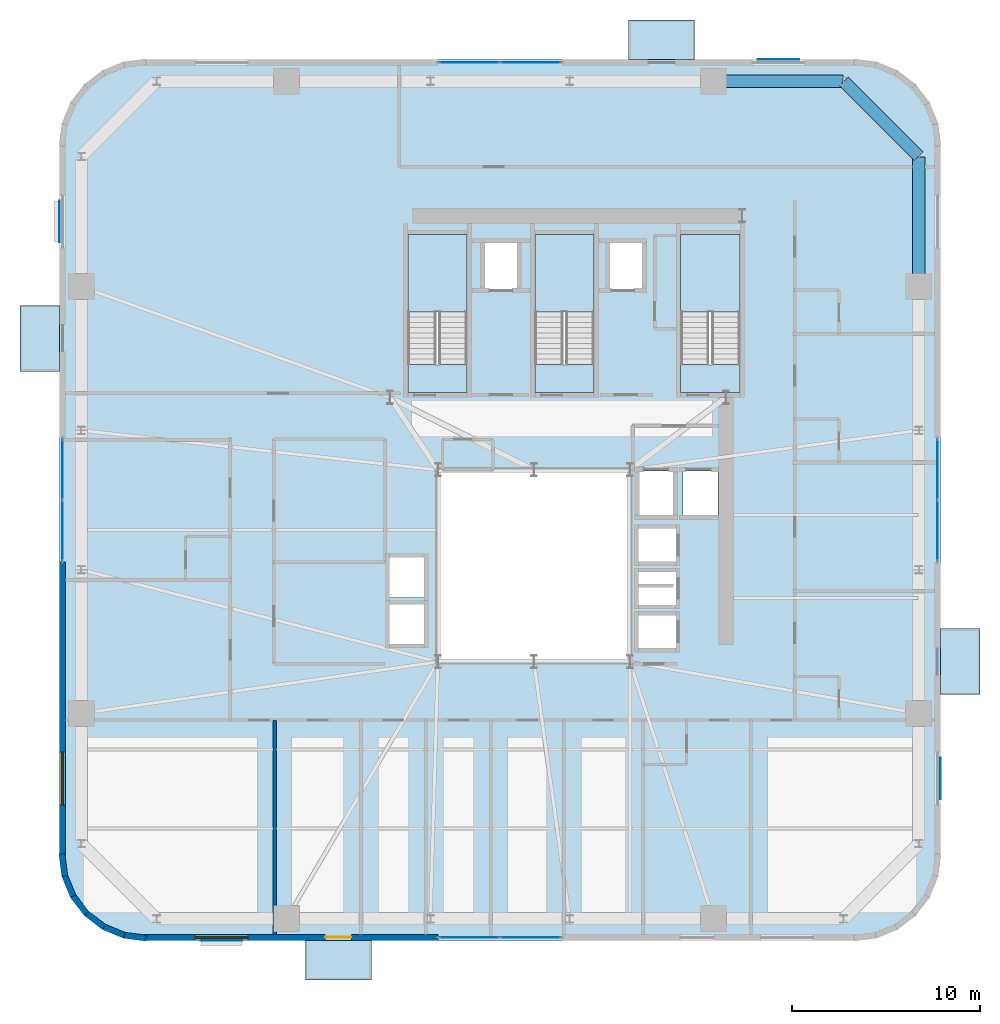
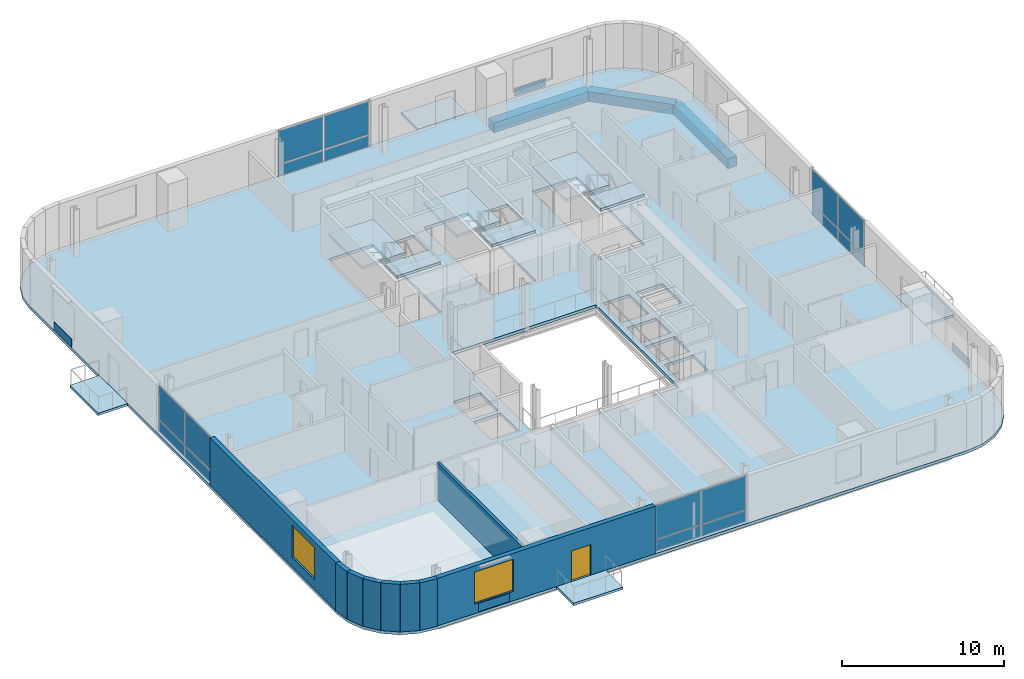
# One storey, part 7 of 16: 20 plates, 11 slabs, 9 walls, 3 beams, 2 windows, 1 door, 3 openings, 7 elements without a shape of their own.
"""IFC4 building model written with IfcOpenShell, lengths in metres."""

from ifc_helpers import new_model, si_unit, direction, frame, frame_2d, origin, origin_2d, place, context, subcontext, project, spatial, polyline, rectangle, outline, extrude, source, transform, mapped, material, layer, layer_set, material_profile, profile_set, type_object, element, fill, aggregate, save


model = new_model("IFC4")

# Units and contexts
model_context = context("Model", 3, precision=1e-05, world=origin(), true_north=direction((0.0, 1.0)))
body_context = subcontext(model_context, "Body", "Model", "MODEL_VIEW")
ifc_project = project(units=[si_unit("LENGTHUNIT", "METRE"), si_unit("AREAUNIT", "SQUARE_METRE"), si_unit("VOLUMEUNIT", "CUBIC_METRE"), si_unit("PLANEANGLEUNIT", "RADIAN"), si_unit("MASSUNIT", "GRAM", prefix="KILO")], contexts=[model_context])

# Site, building, storey
site_placement = place(None, origin())
site = spatial("IfcSite", under=ifc_project, at=site_placement, CompositionType="ELEMENT")
building_placement = place(site_placement, origin())
building = spatial("IfcBuilding", under=site, at=building_placement, Name="Vardaveli Station Tower", CompositionType="ELEMENT")
storey_placement = place(building_placement, frame((0.0, 0.0, 181.0)))
storey = spatial("IfcBuildingStorey", under=building, at=storey_placement, Name="L46", CompositionType="ELEMENT", Elevation=181.0)

# Beams
ifc_material_1 = material(Name="Precast concrete C45/55", Category="concrete")
ifc_material_profile = material_profile(ifc_material_1, rectangle(XDim=0.64990234375, YDim=0.75, at=origin_2d()), Name="LPB 650x750")
ifc_profile_set = profile_set([ifc_material_profile], Name="Precast concrete C45/55")
beam_type = type_object("IfcBeamType", Name="BM-LPB-750", PredefinedType="BEAM", material=ifc_profile_set)
shared_shape_1 = source(origin(), body_context, "Body", "SweptSolid", [
    extrude(rectangle(XDim=0.64990234375, YDim=0.75, at=origin_2d()), origin(), (0.0, 0.0, 1.0), 6.869873046875),
])
for number, where, z_axis, x_axis, name in (
    (1, (56.75, 36.56005859375, -0.594970703125), (0.0, 1.0, 0.0), (-1.0, 0.0, 0.0), "RBM-L46-10"),
    (2, (52.72998046875, 47.449951171875, -0.594970703125), (-1.0, 0.0, 0.0), (0.0, -1.0, 0.0), "RBM-L46-12"),
):
    element("IfcBeam", number, at=place(storey_placement, frame(where, z_axis=z_axis, x_axis=x_axis)), inside=storey, type_object=beam_type, Name=name, PredefinedType="BEAM", context=body_context, shape_type="MappedRepresentation", body=[
        mapped(shared_shape_1, transform((0.0, 0.0, 0.0), scale=1.0)),
    ])
shared_shape_2 = source(origin(), body_context, "Body", "SweptSolid", [
    extrude(rectangle(XDim=0.64990234375, YDim=0.75, at=origin_2d()), origin(), (0.0, 0.0, 1.0), 5.61669921875),
])
beam_placement = place(storey_placement, frame((56.73583984375, 43.464111328125, -0.594970703125), z_axis=(-0.707106781187, 0.707106781187, 0.0), x_axis=(-0.707106781187, -0.707106781187, 0.0)))
element("IfcBeam", 3, at=beam_placement, inside=storey, type_object=beam_type, Name="RBM-L46-11", PredefinedType="BEAM", context=body_context, shape_type="MappedRepresentation", body=[
    mapped(shared_shape_2, transform((0.0, 0.0, 0.0), scale=1.0)),
])

# Stair, slabs
ifc_material_2 = material(Name="Concrete C40/50", Category="concrete")
stair_type = type_object("IfcStairType", Name="STR-CORE-1500", PredefinedType="HALF_TURN_STAIR", material=ifc_material_2)
stair_1_placement = place(storey_placement, origin())
stair_1 = element("IfcStair", 4, at=stair_1_placement, inside=storey, type_object=stair_type, Name="L46 ST-1", PredefinedType="HALF_TURN_STAIR")
ifc_layer_1 = layer(ifc_material_2, 0.199951171875, Name="Concrete C40/50")
ifc_layer_set_1 = layer_set([ifc_layer_1], Name="Concrete C40/50")
slab_type_1 = type_object("IfcSlabType", Name="SLB-LAND-200", PredefinedType="LANDING", material=ifc_layer_set_1)
slab_1_placement = place(storey_placement, frame((0.0, 0.0, 1.699951171875)))
slab_1 = element("IfcSlab", 5, at=slab_1_placement, type_object=slab_type_1, Name="ST-1 landing 1", PredefinedType="LANDING", context=body_context, shape_type="SweptSolid", body=[
    extrude(outline(polyline([(32.75, 35.199951171875), (32.75, 39.300048828125), (29.60009765625, 39.300048828125), (29.60009765625, 35.199951171875), (32.75, 35.199951171875)])), origin(), (0.0, 0.0, 1.0), 0.199951171875),
])
slab_2_placement = place(storey_placement, frame((0.0, 0.0, 3.60009765625)))
slab_2 = element("IfcSlab", 6, at=slab_2_placement, type_object=slab_type_1, Name="ST-1 landing 2", PredefinedType="LANDING", context=body_context, shape_type="SweptSolid", body=[
    extrude(outline(polyline([(32.75, 30.89990234375), (32.75, 32.39990234375), (29.60009765625, 32.39990234375), (29.60009765625, 30.89990234375), (32.75, 30.89990234375)])), origin(), (0.0, 0.0, 1.0), 0.199951171875),
])
aggregate(stair_1, [slab_1, slab_2])

stair_2_placement = place(storey_placement, origin())
stair_2 = element("IfcStair", 7, at=stair_2_placement, inside=storey, type_object=stair_type, Name="L46 ST-2", PredefinedType="HALF_TURN_STAIR")
slab_3_placement = place(storey_placement, frame((0.0, 0.0, 1.699951171875)))
slab_3 = element("IfcSlab", 8, at=slab_3_placement, type_object=slab_type_1, Name="ST-2 landing 1", PredefinedType="LANDING", context=body_context, shape_type="SweptSolid", body=[
    extrude(outline(polyline([(39.5, 35.199951171875), (39.5, 39.300048828125), (36.35009765625, 39.300048828125), (36.35009765625, 35.199951171875), (39.5, 35.199951171875)])), origin(), (0.0, 0.0, 1.0), 0.199951171875),
])
slab_4_placement = place(storey_placement, frame((0.0, 0.0, 3.60009765625)))
slab_4 = element("IfcSlab", 9, at=slab_4_placement, type_object=slab_type_1, Name="ST-2 landing 2", PredefinedType="LANDING", context=body_context, shape_type="SweptSolid", body=[
    extrude(outline(polyline([(39.5, 30.89990234375), (39.5, 32.39990234375), (36.35009765625, 32.39990234375), (36.35009765625, 30.89990234375), (39.5, 30.89990234375)])), origin(), (0.0, 0.0, 1.0), 0.199951171875),
])
aggregate(stair_2, [slab_3, slab_4])

stair_3_placement = place(storey_placement, origin())
stair_3 = element("IfcStair", 10, at=stair_3_placement, inside=storey, type_object=stair_type, Name="L46 ST-3", PredefinedType="HALF_TURN_STAIR")
slab_5_placement = place(storey_placement, frame((0.0, 0.0, 1.699951171875)))
slab_5 = element("IfcSlab", 11, at=slab_5_placement, type_object=slab_type_1, Name="ST-3 landing 1", PredefinedType="LANDING", context=body_context, shape_type="SweptSolid", body=[
    extrude(outline(polyline([(47.25, 35.199951171875), (47.25, 39.300048828125), (44.10009765625, 39.300048828125), (44.10009765625, 35.199951171875), (47.25, 35.199951171875)])), origin(), (0.0, 0.0, 1.0), 0.199951171875),
])
slab_6_placement = place(storey_placement, frame((0.0, 0.0, 3.60009765625)))
slab_6 = element("IfcSlab", 12, at=slab_6_placement, type_object=slab_type_1, Name="ST-3 landing 2", PredefinedType="LANDING", context=body_context, shape_type="SweptSolid", body=[
    extrude(outline(polyline([(47.25, 30.89990234375), (47.25, 32.39990234375), (44.10009765625, 32.39990234375), (44.10009765625, 30.89990234375), (47.25, 30.89990234375)])), origin(), (0.0, 0.0, 1.0), 0.199951171875),
])
aggregate(stair_3, [slab_5, slab_6])

# Slabs
ifc_layer_2 = layer(ifc_material_1, 0.179931640625, Name="Precast concrete C45/55")
ifc_layer_set_2 = layer_set([ifc_layer_2], Name="Precast concrete C45/55")
slab_type_2 = type_object("IfcSlabType", Name="SLB-LOGGIA-180", PredefinedType="FLOOR", material=ifc_layer_set_2)
slab_7_placement = place(storey_placement, frame((0.0, 0.0, -0.179931640625)))
element("IfcSlab", 13, at=slab_7_placement, inside=storey, type_object=slab_type_2, Name="LOG-L46-S", PredefinedType="FLOOR", context=body_context, shape_type="SweptSolid", body=[
    extrude(outline(polyline([(24.160400390625, -0.300048828125), (27.660400390625, -0.300048828125), (27.660400390625, 1.800048828125), (24.160400390625, 1.800048828125), (24.160400390625, -0.300048828125)])), origin(), (0.0, 0.0, 1.0), 0.179931640625),
])
slab_8_placement = place(storey_placement, frame((0.0, 0.0, -0.179931640625)))
element("IfcSlab", 14, at=slab_8_placement, inside=storey, type_object=slab_type_2, Name="LOG-L46-N", PredefinedType="FLOOR", context=body_context, shape_type="SweptSolid", body=[
    extrude(outline(polyline([(41.339599609375, 48.60009765625), (44.839599609375, 48.60009765625), (44.839599609375, 50.699951171875), (41.339599609375, 50.699951171875), (41.339599609375, 48.60009765625)])), origin(), (0.0, 0.0, 1.0), 0.179931640625),
])
slab_9_placement = place(storey_placement, frame((0.0, 0.0, -0.179931640625)))
element("IfcSlab", 15, at=slab_9_placement, inside=storey, type_object=slab_type_2, Name="LOG-L46-W", PredefinedType="FLOOR", context=body_context, shape_type="SweptSolid", body=[
    extrude(outline(polyline([(9.0, 32.03955078125), (11.10009765625, 32.03955078125), (11.10009765625, 35.53955078125), (9.0, 35.53955078125), (9.0, 32.03955078125)])), origin(), (0.0, 0.0, 1.0), 0.179931640625),
])
slab_10_placement = place(storey_placement, frame((0.0, 0.0, -0.179931640625)))
element("IfcSlab", 16, at=slab_10_placement, inside=storey, type_object=slab_type_2, Name="LOG-L46-E", PredefinedType="FLOOR", context=body_context, shape_type="SweptSolid", body=[
    extrude(outline(polyline([(57.89990234375, 14.8603515625), (60.0, 14.8603515625), (60.0, 18.3603515625), (57.89990234375, 18.3603515625), (57.89990234375, 14.8603515625)])), origin(), (0.0, 0.0, 1.0), 0.179931640625),
])
ifc_layer_3 = layer(ifc_material_2, 0.219970703125, Name="Concrete C40/50")
ifc_layer_set_3 = layer_set([ifc_layer_3], Name="Concrete C40/50")
slab_type_3 = type_object("IfcSlabType", Name="SLB-TOW-220", PredefinedType="FLOOR", material=ifc_layer_set_3)
slab_11_placement = place(storey_placement, frame((0.0, 0.0, -0.219970703125)))
element("IfcSlab", 17, at=slab_11_placement, inside=storey, type_object=slab_type_3, Name="SLB-L46-MAIN", PredefinedType="FLOOR", context=body_context, shape_type="SweptSolid", body=[
    extrude(outline(polyline([(11.10009765625, 6.300048828125), (11.25341796875, 5.13525390625), (11.702880859375, 4.050048828125), (12.41796875, 3.117919921875), (13.35009765625, 2.40283203125), (14.435302734375, 1.953369140625), (15.60009765625, 1.800048828125), (53.39990234375, 1.800048828125), (54.564697265625, 1.953369140625), (55.64990234375, 2.40283203125), (56.58203125, 3.117919921875), (57.297119140625, 4.050048828125), (57.74658203125, 5.13525390625), (57.89990234375, 6.300048828125), (57.89990234375, 44.10009765625), (57.74658203125, 45.2646484375), (57.297119140625, 46.35009765625), (56.58203125, 47.281982421875), (55.64990234375, 47.9970703125), (54.564697265625, 48.44677734375), (53.39990234375, 48.60009765625), (15.60009765625, 48.60009765625), (14.435302734375, 48.44677734375), (13.35009765625, 47.9970703125), (12.41796875, 47.281982421875), (11.702880859375, 46.35009765625), (11.25341796875, 45.2646484375), (11.10009765625, 44.10009765625), (11.10009765625, 6.300048828125)]), holes=[polyline([(31.199951171875, 16.60009765625), (41.39990234375, 16.60009765625), (41.39990234375, 26.800048828125), (31.199951171875, 26.800048828125), (31.199951171875, 16.60009765625)]), polyline([(32.75, 30.89990234375), (32.75, 39.300048828125), (29.60009765625, 39.300048828125), (29.60009765625, 30.89990234375), (32.75, 30.89990234375)]), polyline([(39.5, 30.89990234375), (39.5, 39.300048828125), (36.35009765625, 39.300048828125), (36.35009765625, 30.89990234375), (39.5, 30.89990234375)]), polyline([(47.25, 30.89990234375), (47.25, 39.300048828125), (44.10009765625, 39.300048828125), (44.10009765625, 30.89990234375), (47.25, 30.89990234375)]), polyline([(33.659912109375, 36.409912109375), (35.43994140625, 36.409912109375), (35.43994140625, 38.889892578125), (33.659912109375, 38.889892578125), (33.659912109375, 36.409912109375)]), polyline([(40.31005859375, 36.409912109375), (42.090087890625, 36.409912109375), (42.090087890625, 38.889892578125), (40.31005859375, 38.889892578125), (40.31005859375, 36.409912109375)]), polyline([(41.81005859375, 21.885009765625), (43.889892578125, 21.885009765625), (43.889892578125, 23.715087890625), (41.81005859375, 23.715087890625), (41.81005859375, 21.885009765625)]), polyline([(41.81005859375, 19.5849609375), (43.889892578125, 19.5849609375), (43.889892578125, 21.4150390625), (41.81005859375, 21.4150390625), (41.81005859375, 19.5849609375)]), polyline([(41.81005859375, 17.284912109375), (43.889892578125, 17.284912109375), (43.889892578125, 19.114990234375), (41.81005859375, 19.114990234375), (41.81005859375, 17.284912109375)]), polyline([(28.5849609375, 17.510009765625), (30.514892578125, 17.510009765625), (30.514892578125, 19.68994140625), (28.5849609375, 19.68994140625), (28.5849609375, 17.510009765625)]), polyline([(28.5849609375, 20.010009765625), (30.514892578125, 20.010009765625), (30.514892578125, 22.18994140625), (28.5849609375, 22.18994140625), (28.5849609375, 20.010009765625)]), polyline([(41.860107421875, 24.360107421875), (43.739990234375, 24.360107421875), (43.739990234375, 26.739990234375), (41.860107421875, 26.739990234375), (41.860107421875, 24.360107421875)]), polyline([(44.2099609375, 24.360107421875), (46.090087890625, 24.360107421875), (46.090087890625, 26.739990234375), (44.2099609375, 26.739990234375), (44.2099609375, 24.360107421875)])]), origin(), (0.0, 0.0, 1.0), 0.219970703125),
])

# Plates
ifc_material_3 = material(Name="Honed Caucasian travertine stone", Category="masonry")
ifc_layer_4 = layer(ifc_material_3, 0.034912109375, Name="Honed Caucasian travertine stone")
ifc_layer_set_4 = layer_set([ifc_layer_4], Name="Honed Caucasian travertine stone")
plate_type_1 = type_object("IfcPlateType", Name="PLT-TRAV-35", PredefinedType="SHEET", material=ifc_layer_set_4)
shared_shape_3 = source(origin(), body_context, "Body", "SweptSolid", [
    extrude(rectangle(XDim=2.199951171875, YDim=0.034912109375, at=origin_2d()), origin(), (0.0, 0.0, 1.0), 0.6201171875),
])
for number, where, z_axis, x_axis, name in (
    (18, (19.705078125, 1.79052734375, 0.06982421875), (0.0, 0.0, 1.0), (1.0, 0.0, 0.0), "PLT-TR-L46-S"),
    (19, (49.294921875, 48.609619140625, 0.06982421875), (0.0, 0.0, 1.0), (1.0, 0.0, 0.0), "PLT-TR-L46-N"),
    (20, (11.090576171875, 39.9951171875, 0.06982421875), (0.0, 0.0, 1.0), (0.0, 1.0, 0.0), "PLT-TR-L46-W"),
    (21, (57.909423828125, 10.405029296875, 0.06982421875), (0.0, 0.0, 1.0), (0.0, 1.0, 0.0), "PLT-TR-L46-E"),
):
    element("IfcPlate", number, at=place(storey_placement, frame(where, z_axis=z_axis, x_axis=x_axis)), inside=storey, type_object=plate_type_1, Name=name, PredefinedType="SHEET", context=body_context, shape_type="MappedRepresentation", body=[
        mapped(shared_shape_3, transform((0.0, 0.0, 0.0), scale=1.0)),
    ])

# Curtain wall, plates
ifc_material_4 = material(Name="Travertine stone and solar-control glass", Category="masonry")
curtain_wall_type = type_object("IfcCurtainWallType", Name="CW-SYS-5", PredefinedType="NOTDEFINED", material=ifc_material_4)
curtain_wall_1_placement = place(storey_placement, origin())
curtain_wall_1 = element("IfcCurtainWall", 22, at=curtain_wall_1_placement, inside=storey, type_object=curtain_wall_type, Name="CW-L46-S", PredefinedType="NOTDEFINED")
ifc_material_5 = material(Name="Double-glazed low-E solar-control glass", Category="glass")
ifc_layer_5 = layer(ifc_material_5, 0.031982421875, Name="Double-glazed low-E solar-control glass")
ifc_layer_set_5 = layer_set([ifc_layer_5], Name="Double-glazed low-E solar-control glass")
plate_type_2 = type_object("IfcPlateType", Name="CW-SYS-5-PAN", PredefinedType="CURTAIN_PANEL", material=ifc_layer_set_5)
shared_shape_4 = source(origin(), body_context, "Body", "SweptSolid", [
    extrude(rectangle(XDim=3.179931640625, YDim=0.031982421875, at=origin_2d()), origin(), (0.0, 0.0, 1.0), 0.830078125),
])
plate_1_placement = place(storey_placement, frame((32.8701171875, 1.9599609375, 0.080078125), z_axis=(0.0, 0.0, 1.0), x_axis=(1.0, 0.0, 0.0)))
plate_1 = element("IfcPlate", 23, at=plate_1_placement, type_object=plate_type_2, Name="CW-5 panel 1.1", PredefinedType="CURTAIN_PANEL", context=body_context, shape_type="MappedRepresentation", body=[
    mapped(shared_shape_4, transform((0.0, 0.0, 0.0), scale=1.0)),
])
plate_2_placement = place(storey_placement, frame((36.1298828125, 1.9599609375, 0.080078125), z_axis=(0.0, 0.0, 1.0), x_axis=(1.0, 0.0, 0.0)))
plate_2 = element("IfcPlate", 24, at=plate_2_placement, type_object=plate_type_2, Name="CW-5 panel 2.1", PredefinedType="CURTAIN_PANEL", context=body_context, shape_type="MappedRepresentation", body=[
    mapped(shared_shape_4, transform((0.0, 0.0, 0.0), scale=1.0)),
])

curtain_wall_2_placement = place(storey_placement, origin())
curtain_wall_2 = element("IfcCurtainWall", 25, at=curtain_wall_2_placement, inside=storey, type_object=curtain_wall_type, Name="CW-L46-N", PredefinedType="NOTDEFINED")
plate_3_placement = place(storey_placement, frame((36.1298828125, 48.43994140625, 0.080078125), z_axis=(0.0, 0.0, 1.0), x_axis=(-1.0, 0.0, 0.0)))
plate_3 = element("IfcPlate", 26, at=plate_3_placement, type_object=plate_type_2, Name="CW-5 panel 1.1", PredefinedType="CURTAIN_PANEL", context=body_context, shape_type="MappedRepresentation", body=[
    mapped(shared_shape_4, transform((0.0, 0.0, 0.0), scale=1.0)),
])
plate_4_placement = place(storey_placement, frame((32.8701171875, 48.43994140625, 0.080078125), z_axis=(0.0, 0.0, 1.0), x_axis=(-1.0, 0.0, 0.0)))
plate_4 = element("IfcPlate", 27, at=plate_4_placement, type_object=plate_type_2, Name="CW-5 panel 2.1", PredefinedType="CURTAIN_PANEL", context=body_context, shape_type="MappedRepresentation", body=[
    mapped(shared_shape_4, transform((0.0, 0.0, 0.0), scale=1.0)),
])

curtain_wall_3_placement = place(storey_placement, origin())
curtain_wall_3 = element("IfcCurtainWall", 28, at=curtain_wall_3_placement, inside=storey, type_object=curtain_wall_type, Name="CW-L46-W", PredefinedType="NOTDEFINED")
plate_5_placement = place(storey_placement, frame((11.260009765625, 26.830078125, 0.080078125), z_axis=(0.0, 0.0, 1.0), x_axis=(0.0, -1.0, 0.0)))
plate_5 = element("IfcPlate", 29, at=plate_5_placement, type_object=plate_type_2, Name="CW-5 panel 1.1", PredefinedType="CURTAIN_PANEL", context=body_context, shape_type="MappedRepresentation", body=[
    mapped(shared_shape_4, transform((0.0, 0.0, 0.0), scale=1.0)),
])
plate_6_placement = place(storey_placement, frame((11.260009765625, 23.570068359375, 0.080078125), z_axis=(0.0, 0.0, 1.0), x_axis=(0.0, -1.0, 0.0)))
plate_6 = element("IfcPlate", 30, at=plate_6_placement, type_object=plate_type_2, Name="CW-5 panel 2.1", PredefinedType="CURTAIN_PANEL", context=body_context, shape_type="MappedRepresentation", body=[
    mapped(shared_shape_4, transform((0.0, 0.0, 0.0), scale=1.0)),
])

curtain_wall_4_placement = place(storey_placement, origin())
curtain_wall_4 = element("IfcCurtainWall", 31, at=curtain_wall_4_placement, inside=storey, type_object=curtain_wall_type, Name="CW-L46-E", PredefinedType="NOTDEFINED")
plate_7_placement = place(storey_placement, frame((57.739990234375, 23.570068359375, 0.080078125), z_axis=(0.0, 0.0, 1.0), x_axis=(0.0, 1.0, 0.0)))
plate_7 = element("IfcPlate", 32, at=plate_7_placement, type_object=plate_type_2, Name="CW-5 panel 1.1", PredefinedType="CURTAIN_PANEL", context=body_context, shape_type="MappedRepresentation", body=[
    mapped(shared_shape_4, transform((0.0, 0.0, 0.0), scale=1.0)),
])
plate_8_placement = place(storey_placement, frame((57.739990234375, 26.830078125, 0.080078125), z_axis=(0.0, 0.0, 1.0), x_axis=(0.0, 1.0, 0.0)))
plate_8 = element("IfcPlate", 33, at=plate_8_placement, type_object=plate_type_2, Name="CW-5 panel 2.1", PredefinedType="CURTAIN_PANEL", context=body_context, shape_type="MappedRepresentation", body=[
    mapped(shared_shape_4, transform((0.0, 0.0, 0.0), scale=1.0)),
])

# Plate
shared_shape_5 = source(origin(), body_context, "Body", "SweptSolid", [
    extrude(rectangle(XDim=3.179931640625, YDim=0.031982421875, at=origin_2d()), origin(), (0.0, 0.0, 1.0), 2.510009765625),
])
plate_9_placement = place(storey_placement, frame((32.8701171875, 1.9599609375, 0.990234375), z_axis=(0.0, 0.0, 1.0), x_axis=(1.0, 0.0, 0.0)))
plate_9 = element("IfcPlate", 34, at=plate_9_placement, type_object=plate_type_2, Name="CW-5 panel 1.2", PredefinedType="CURTAIN_PANEL", context=body_context, shape_type="MappedRepresentation", body=[
    mapped(shared_shape_5, transform((0.0, 0.0, 0.0), scale=1.0)),
])

plate_10_placement = place(storey_placement, frame((36.1298828125, 1.9599609375, 0.990234375), z_axis=(0.0, 0.0, 1.0), x_axis=(1.0, 0.0, 0.0)))
plate_10 = element("IfcPlate", 35, at=plate_10_placement, type_object=plate_type_2, Name="CW-5 panel 2.2", PredefinedType="CURTAIN_PANEL", context=body_context, shape_type="MappedRepresentation", body=[
    mapped(shared_shape_5, transform((0.0, 0.0, 0.0), scale=1.0)),
])

aggregate(curtain_wall_1, [plate_1, plate_9, plate_2, plate_10])

plate_11_placement = place(storey_placement, frame((36.1298828125, 48.43994140625, 0.990234375), z_axis=(0.0, 0.0, 1.0), x_axis=(-1.0, 0.0, 0.0)))
plate_11 = element("IfcPlate", 36, at=plate_11_placement, type_object=plate_type_2, Name="CW-5 panel 1.2", PredefinedType="CURTAIN_PANEL", context=body_context, shape_type="MappedRepresentation", body=[
    mapped(shared_shape_5, transform((0.0, 0.0, 0.0), scale=1.0)),
])

plate_12_placement = place(storey_placement, frame((32.8701171875, 48.43994140625, 0.990234375), z_axis=(0.0, 0.0, 1.0), x_axis=(-1.0, 0.0, 0.0)))
plate_12 = element("IfcPlate", 37, at=plate_12_placement, type_object=plate_type_2, Name="CW-5 panel 2.2", PredefinedType="CURTAIN_PANEL", context=body_context, shape_type="MappedRepresentation", body=[
    mapped(shared_shape_5, transform((0.0, 0.0, 0.0), scale=1.0)),
])

aggregate(curtain_wall_2, [plate_3, plate_11, plate_4, plate_12])

plate_13_placement = place(storey_placement, frame((11.260009765625, 26.830078125, 0.990234375), z_axis=(0.0, 0.0, 1.0), x_axis=(0.0, -1.0, 0.0)))
plate_13 = element("IfcPlate", 38, at=plate_13_placement, type_object=plate_type_2, Name="CW-5 panel 1.2", PredefinedType="CURTAIN_PANEL", context=body_context, shape_type="MappedRepresentation", body=[
    mapped(shared_shape_5, transform((0.0, 0.0, 0.0), scale=1.0)),
])

plate_14_placement = place(storey_placement, frame((11.260009765625, 23.570068359375, 0.990234375), z_axis=(0.0, 0.0, 1.0), x_axis=(0.0, -1.0, 0.0)))
plate_14 = element("IfcPlate", 39, at=plate_14_placement, type_object=plate_type_2, Name="CW-5 panel 2.2", PredefinedType="CURTAIN_PANEL", context=body_context, shape_type="MappedRepresentation", body=[
    mapped(shared_shape_5, transform((0.0, 0.0, 0.0), scale=1.0)),
])

aggregate(curtain_wall_3, [plate_5, plate_13, plate_6, plate_14])

plate_15_placement = place(storey_placement, frame((57.739990234375, 23.570068359375, 0.990234375), z_axis=(0.0, 0.0, 1.0), x_axis=(0.0, 1.0, 0.0)))
plate_15 = element("IfcPlate", 40, at=plate_15_placement, type_object=plate_type_2, Name="CW-5 panel 1.2", PredefinedType="CURTAIN_PANEL", context=body_context, shape_type="MappedRepresentation", body=[
    mapped(shared_shape_5, transform((0.0, 0.0, 0.0), scale=1.0)),
])

plate_16_placement = place(storey_placement, frame((57.739990234375, 26.830078125, 0.990234375), z_axis=(0.0, 0.0, 1.0), x_axis=(0.0, 1.0, 0.0)))
plate_16 = element("IfcPlate", 41, at=plate_16_placement, type_object=plate_type_2, Name="CW-5 panel 2.2", PredefinedType="CURTAIN_PANEL", context=body_context, shape_type="MappedRepresentation", body=[
    mapped(shared_shape_5, transform((0.0, 0.0, 0.0), scale=1.0)),
])

aggregate(curtain_wall_4, [plate_7, plate_15, plate_8, plate_16])

# Wall, openings, door, window
ifc_layer_6 = layer(ifc_material_1, 0.320068359375, Name="Precast concrete C45/55")
ifc_layer_set_6 = layer_set([ifc_layer_6], Name="Precast concrete C45/55")
wall_type_1 = type_object("IfcWallType", Name="WAL-EXT-STONE-320", PredefinedType="SOLIDWALL", material=ifc_layer_set_6)
shared_shape_6 = source(origin(), body_context, "Body", "SweptSolid", [
    extrude(rectangle(XDim=15.599853515625, YDim=0.320068359375, at=frame_2d((7.7998046875, 0.0))), origin(), (0.0, 0.0, 1.0), 3.580078125),
])
wall_1_placement = place(storey_placement, frame((15.60009765625, 1.9599609375, 0.0), z_axis=(0.0, 0.0, 1.0), x_axis=(1.0, 0.0, 0.0)))
wall_1 = element("IfcWall", 42, at=wall_1_placement, inside=storey, type_object=wall_type_1, Name="EW-L46-S1", PredefinedType="SOLIDWALL", context=body_context, shape_type="MappedRepresentation", body=[
    mapped(shared_shape_6, transform((0.0, 0.0, 0.0), scale=1.0)),
])
shared_shape_7 = source(origin(), body_context, "Body", "SweptSolid", [
    extrude(rectangle(XDim=1.39990234375, YDim=2.300048828125, at=frame_2d((0.699951171875, 1.14990234375))), frame((0.0, 0.169921875, 0.0), z_axis=(0.0, -1.0, 0.0), x_axis=(1.0, 0.0, 0.0)), (0.0, 0.0, 1.0), 0.340087890625),
])
opening_1_placement = place(wall_1_placement, frame((9.6103515625, 0.0, 0.0)))
opening_1 = element("IfcOpeningElement", 43, at=opening_1_placement, cuts=wall_1, Name="Opening D-09", PredefinedType="OPENING", context=body_context, shape_type="MappedRepresentation", body=[
    mapped(shared_shape_7, transform((0.0, 0.0, 0.0), scale=1.0)),
])
shared_shape_8 = source(origin(), body_context, "Body", "SweptSolid", [
    extrude(rectangle(XDim=2.800048828125, YDim=2.39990234375, at=frame_2d((1.39990234375, 1.199951171875))), frame((0.0, 0.169921875, 0.0), z_axis=(0.0, -1.0, 0.0), x_axis=(1.0, 0.0, 0.0)), (0.0, 0.0, 1.0), 0.340087890625),
])
opening_2_placement = place(wall_1_placement, frame((2.705078125, 0.0, 0.719970703125)))
opening_2 = element("IfcOpeningElement", 44, at=opening_2_placement, cuts=wall_1, Name="Opening W-04", PredefinedType="OPENING", context=body_context, shape_type="MappedRepresentation", body=[
    mapped(shared_shape_8, transform((0.0, 0.0, 0.0), scale=1.0)),
])
ifc_material_6 = material(Name="Thermally broken aluminium glass", Category="aluminium")
door_type = type_object("IfcDoorType", Name="DR-LOG-1400x2300", OperationType="DOUBLE_DOOR_SLIDING", PredefinedType="DOOR", material=ifc_material_6)
shared_shape_9 = source(origin(), body_context, "Body", "SweptSolid", [
    extrude(rectangle(XDim=1.39990234375, YDim=2.300048828125, at=frame_2d((0.699951171875, 1.14990234375))), frame((0.0, 0.02490234375, 0.0), z_axis=(0.0, -1.0, 0.0), x_axis=(1.0, 0.0, 0.0)), (0.0, 0.0, 1.0), 0.050048828125),
])
door_placement = place(opening_1_placement, frame((1.39990234375, 0.0, 0.0), z_axis=(0.0, 0.0, 1.0), x_axis=(-1.0, 0.0, 0.0)))
door = element("IfcDoor", 45, at=door_placement, inside=storey, type_object=door_type, Name="DLG-L46-S", OperationType="DOUBLE_DOOR_SLIDING", OverallHeight=2.300048828125, OverallWidth=1.39990234375, PredefinedType="DOOR", context=body_context, shape_type="MappedRepresentation", body=[
    mapped(shared_shape_9, transform((0.0, 0.0, 0.0), scale=1.0)),
])
fill(opening_1, door)
ifc_material_7 = material(Name="Low-E solar-control glass", Category="glass")
window_type = type_object("IfcWindowType", Name="WIN-SUITE-2800x2400", PartitioningType="SINGLE_PANEL", PredefinedType="WINDOW", material=ifc_material_7)
shared_shape_10 = source(origin(), body_context, "Body", "SweptSolid", [
    extrude(rectangle(XDim=2.800048828125, YDim=2.39990234375, at=frame_2d((1.39990234375, 1.199951171875))), frame((0.0, 0.030029296875, 0.0), z_axis=(0.0, -1.0, 0.0), x_axis=(1.0, 0.0, 0.0)), (0.0, 0.0, 1.0), 0.06005859375),
])
window_1_placement = place(opening_2_placement, origin())
window_1 = element("IfcWindow", 46, at=window_1_placement, inside=storey, type_object=window_type, Name="WN-L46-S1", OverallHeight=2.39990234375, OverallWidth=2.800048828125, PartitioningType="SINGLE_PANEL", PredefinedType="WINDOW", context=body_context, shape_type="MappedRepresentation", body=[
    mapped(shared_shape_10, transform((0.0, 0.0, 0.0), scale=1.0)),
])
fill(opening_2, window_1)

# Wall, opening, window
wall_2_placement = place(storey_placement, frame((11.260009765625, 21.89990234375, 0.0), z_axis=(0.0, 0.0, 1.0), x_axis=(0.0, -1.0, 0.0)))
wall_2 = element("IfcWall", 47, at=wall_2_placement, inside=storey, type_object=wall_type_1, Name="EW-L46-W2", PredefinedType="SOLIDWALL", context=body_context, shape_type="MappedRepresentation", body=[
    mapped(shared_shape_6, transform((0.0, 0.0, 0.0), scale=1.0)),
])
opening_3_placement = place(wall_2_placement, frame((10.094970703125, 0.0, 0.719970703125)))
opening_3 = element("IfcOpeningElement", 48, at=opening_3_placement, cuts=wall_2, Name="Opening W-04", PredefinedType="OPENING", context=body_context, shape_type="MappedRepresentation", body=[
    mapped(shared_shape_8, transform((0.0, 0.0, 0.0), scale=1.0)),
])
window_2_placement = place(opening_3_placement, origin())
window_2 = element("IfcWindow", 49, at=window_2_placement, inside=storey, type_object=window_type, Name="WN-L46-W2", OverallHeight=2.39990234375, OverallWidth=2.800048828125, PartitioningType="SINGLE_PANEL", PredefinedType="WINDOW", context=body_context, shape_type="MappedRepresentation", body=[
    mapped(shared_shape_10, transform((0.0, 0.0, 0.0), scale=1.0)),
])
fill(opening_3, window_2)

# Walls
shared_shape_11 = source(origin(), body_context, "Body", "SweptSolid", [
    extrude(rectangle(XDim=1.170654296875, YDim=0.320068359375, at=frame_2d((0.58544921875, 0.0))), origin(), (0.0, 0.0, 1.0), 3.580078125),
])
wall_3_placement = place(storey_placement, frame((11.224365234375, 6.400634765625, 0.0), z_axis=(0.0, 0.0, 1.0), x_axis=(0.128269133229, -0.991739395941, 0.0)))
element("IfcWall", 50, at=wall_3_placement, inside=storey, type_object=wall_type_1, Name="EW-L46-CR1-1", PredefinedType="SOLIDWALL", context=body_context, shape_type="MappedRepresentation", body=[
    mapped(shared_shape_11, transform((0.0, 0.0, 0.0), scale=1.0)),
])
shared_shape_12 = source(origin(), body_context, "Body", "SweptSolid", [
    extrude(rectangle(XDim=1.1689453125, YDim=0.320068359375, at=frame_2d((0.58447265625, 0.0))), origin(), (0.0, 0.0, 1.0), 3.580078125),
])
for number, where, z_axis, x_axis, name in (
    (51, (11.37451171875, 5.23974609375, 0.0), (0.0, 0.0, 1.0), (0.381127904695, -0.924522320046, 0.0), "EW-L46-CR1-2"),
    (52, (11.820068359375, 4.158935546875, 0.0), (0.0, 0.0, 1.0), (0.608387696831, -0.793639975269, 0.0), "EW-L46-CR1-3"),
):
    element("IfcWall", number, at=place(storey_placement, frame(where, z_axis=z_axis, x_axis=x_axis)), inside=storey, type_object=wall_type_1, Name=name, PredefinedType="SOLIDWALL", context=body_context, shape_type="MappedRepresentation", body=[
        mapped(shared_shape_12, transform((0.0, 0.0, 0.0), scale=1.0)),
    ])
shared_shape_13 = source(origin(), body_context, "Body", "SweptSolid", [
    extrude(rectangle(XDim=1.168701171875, YDim=0.320068359375, at=frame_2d((0.58447265625, 0.0))), origin(), (0.0, 0.0, 1.0), 3.580078125),
])
wall_4_placement = place(storey_placement, frame((12.53125, 3.231201171875, 0.0), z_axis=(0.0, 0.0, 1.0), x_axis=(0.793663520347, -0.608356981114, 0.0)))
element("IfcWall", 53, at=wall_4_placement, inside=storey, type_object=wall_type_1, Name="EW-L46-CR1-4", PredefinedType="SOLIDWALL", context=body_context, shape_type="MappedRepresentation", body=[
    mapped(shared_shape_13, transform((0.0, 0.0, 0.0), scale=1.0)),
])
shared_shape_14 = source(origin(), body_context, "Body", "SweptSolid", [
    extrude(rectangle(XDim=1.16943359375, YDim=0.320068359375, at=frame_2d((0.584716796875, 0.0))), origin(), (0.0, 0.0, 1.0), 3.580078125),
])
wall_5_placement = place(storey_placement, frame((13.458740234375, 2.520263671875, 0.0), z_axis=(0.0, 0.0, 1.0), x_axis=(0.924479075121, -0.381232789334, 0.0)))
element("IfcWall", 54, at=wall_5_placement, inside=storey, type_object=wall_type_1, Name="EW-L46-CR1-5", PredefinedType="SOLIDWALL", context=body_context, shape_type="MappedRepresentation", body=[
    mapped(shared_shape_14, transform((0.0, 0.0, 0.0), scale=1.0)),
])
shared_shape_15 = source(origin(), body_context, "Body", "SweptSolid", [
    extrude(rectangle(XDim=1.170166015625, YDim=0.320068359375, at=frame_2d((0.5849609375, 0.0))), origin(), (0.0, 0.0, 1.0), 3.580078125),
])
wall_6_placement = place(storey_placement, frame((14.539794921875, 2.074462890625, 0.0), z_axis=(0.0, 0.0, 1.0), x_axis=(0.991762485493, -0.128090485085, 0.0)))
element("IfcWall", 55, at=wall_6_placement, inside=storey, type_object=wall_type_1, Name="EW-L46-CR1-6", PredefinedType="SOLIDWALL", context=body_context, shape_type="MappedRepresentation", body=[
    mapped(shared_shape_15, transform((0.0, 0.0, 0.0), scale=1.0)),
])
ifc_material_8 = material(Name="Acoustic twin-stud gypsum partition")
ifc_layer_7 = layer(ifc_material_8, 0.199951171875, Name="Acoustic twin-stud gypsum partition")
ifc_layer_set_7 = layer_set([ifc_layer_7], Name="Acoustic twin-stud gypsum partition")
wall_type_2 = type_object("IfcWallType", Name="WAL-PARTY-200", PredefinedType="PARTITIONING", material=ifc_layer_set_7)
shared_shape_16 = source(origin(), body_context, "Body", "SweptSolid", [
    extrude(rectangle(XDim=11.387939453125, YDim=0.199951171875, at=frame_2d((5.69384765625, 0.0))), origin(), (0.0, 0.0, 1.0), 2.822021484375),
])
wall_7_placement = place(storey_placement, frame((22.530029296875, 2.1220703125, 0.0), z_axis=(0.0, 0.0, 1.0), x_axis=(0.0, 1.0, 0.0)))
element("IfcWall", 56, at=wall_7_placement, inside=storey, type_object=wall_type_2, Name="W-L46-PS1", PredefinedType="PARTITIONING", context=body_context, shape_type="MappedRepresentation", body=[
    mapped(shared_shape_16, transform((0.0, 0.0, 0.0), scale=1.0)),
])

save(model, "model.ifc")
